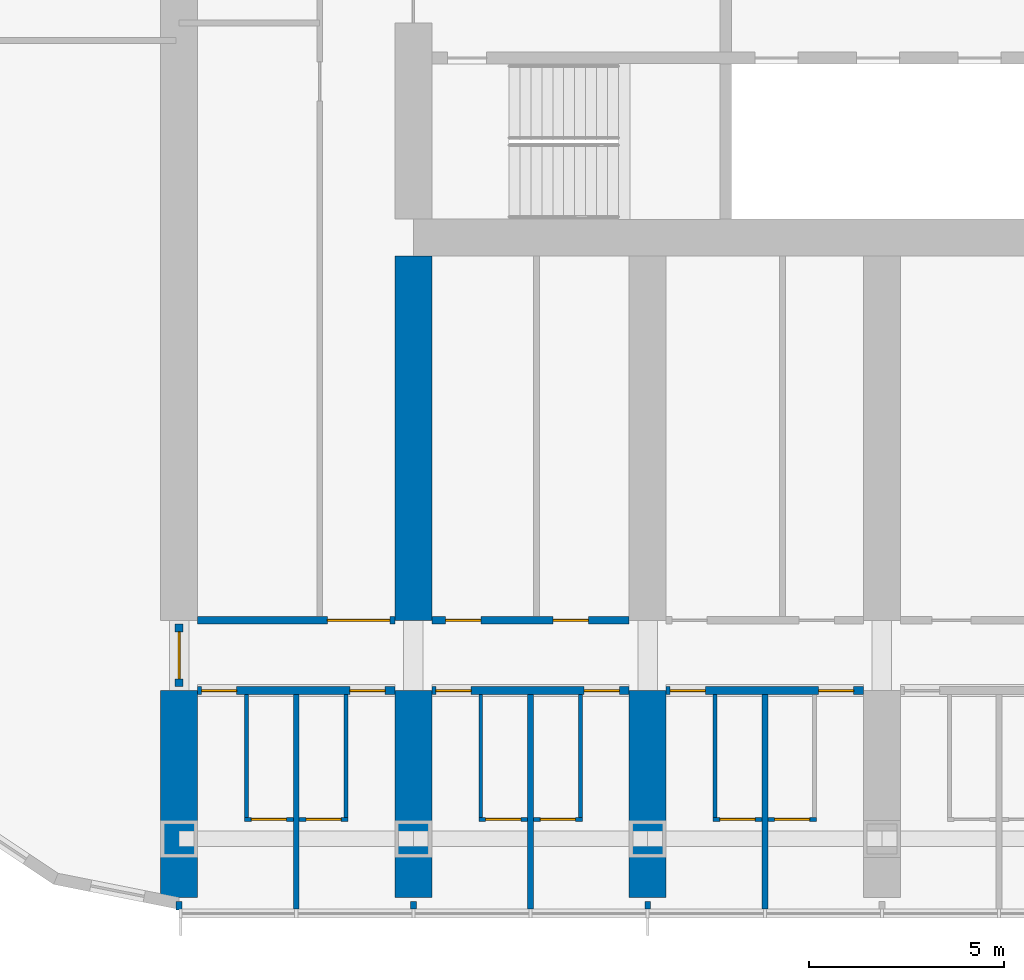
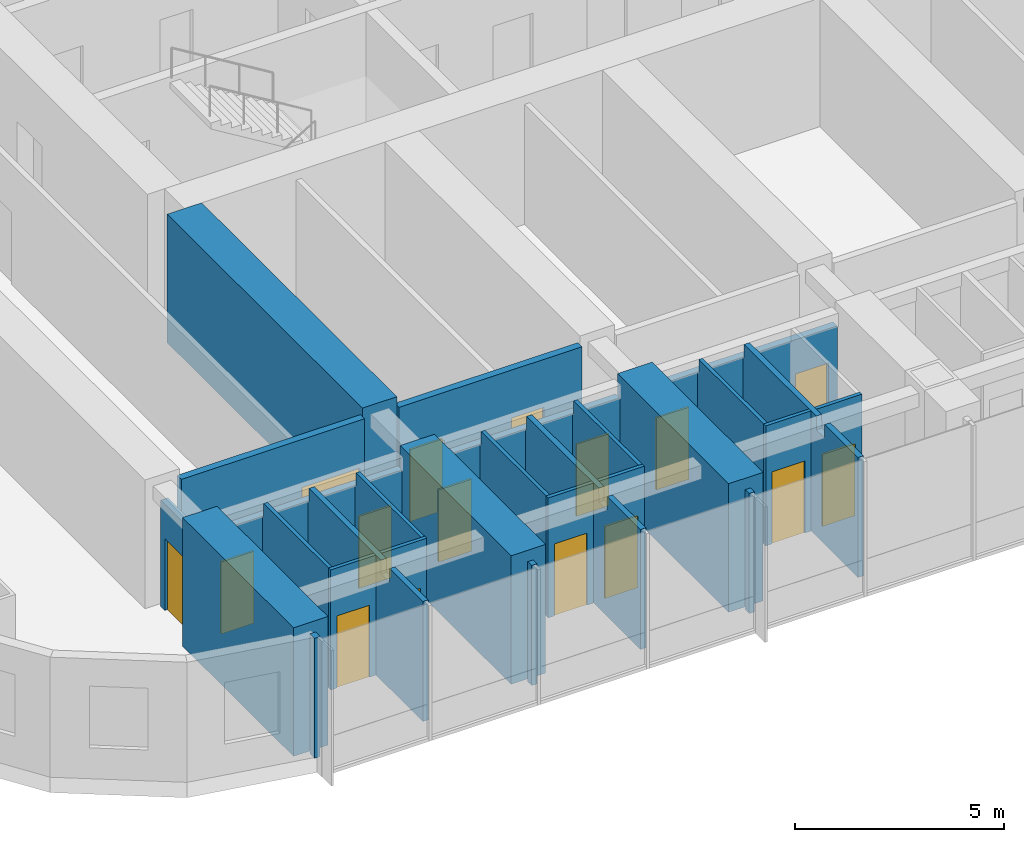
# One storey, part 10 of 26: 27 walls, 16 doors, 16 openings.
"""IFC4 building model written with IfcOpenShell, lengths in metres."""

import ifcopenshell
import ifcopenshell.guid

model = None  # the IFC model being written
_history = None  # IfcOwnerHistory: only IFC2X3 demands one
_inside = {}  # id of a spatial element -> (the spatial element, [elements in it])
_under = {}  # id of a project, library or spatial element -> (it, [spatial elements below it])
_declared = {}  # id of a project -> (the project, [libraries it declares])
_typed = {}  # id of a type object -> (the type object, [elements of that type])
_made_of = {}  # id of a material, layer set ... -> (it, [elements and type objects made of it])


def new_model(schema):
    """Start an empty IFC model of exactly this schema.

    Asked for "IFC4X3", IfcOpenShell would pick the latest addendum, in which some entities
    have other attributes; the version numbers below select the first issue.
    IFC2X3 requires an IfcOwnerHistory on every rooted entity: one is made here for all.
    """
    global model, _history
    if schema == "IFC4X3":
        model = ifcopenshell.file(schema_version=(4, 3, 0, 0))
    else:
        model = ifcopenshell.file(schema=schema)
    _inside.clear()
    _under.clear()
    _declared.clear()
    _typed.clear()
    _made_of.clear()
    _history = None
    if model.schema == "IFC2X3":
        org = make("IfcOrganization", Name="unknown")
        user = make(
            "IfcPersonAndOrganization",
            ThePerson=make("IfcPerson", FamilyName="unknown"),
            TheOrganization=org,
        )
        app = make(
            "IfcApplication",
            ApplicationDeveloper=org,
            Version="unknown",
            ApplicationFullName="unknown",
            ApplicationIdentifier="unknown",
        )
        _history = make(
            "IfcOwnerHistory",
            OwningUser=user,
            OwningApplication=app,
            ChangeAction="ADDED",
            CreationDate=0,
        )
    return model


def make(cls, **values):
    """One entity of the class cls with the attributes given. An attribute that is None is left unset."""
    return model.create_entity(
        cls, **{name: value for name, value in values.items() if value is not None}
    )


def rooted(cls, **values):
    """An entity with a GlobalId (a new one), such as an element, a storey or a relation."""
    return make(cls, GlobalId=ifcopenshell.guid.new(), OwnerHistory=_history, **values)


def si_unit(unit_type, name, prefix=None):
    """IfcSIUnit, for example si_unit("LENGTHUNIT", "METRE", prefix="MILLI")."""
    return make("IfcSIUnit", UnitType=unit_type, Prefix=prefix, Name=name)


def assignment(units):
    """IfcUnitAssignment: the units of a project."""
    return None if units is None else make("IfcUnitAssignment", Units=units)


def point(xyz):
    """IfcCartesianPoint."""
    return None if xyz is None else make("IfcCartesianPoint", Coordinates=xyz)


def direction(xyz):
    """IfcDirection."""
    return None if xyz is None else make("IfcDirection", DirectionRatios=xyz)


def frame(location, z_axis=None, x_axis=None):
    """IfcAxis2Placement3D, a coordinate frame: its origin and axes. An axis left out is left unset."""
    return make(
        "IfcAxis2Placement3D",
        Location=point(location),
        Axis=direction(z_axis),
        RefDirection=direction(x_axis),
    )


def frame_2d(location, x_axis=None):
    """IfcAxis2Placement2D, a coordinate frame in the plane: its origin and x axis."""
    return make(
        "IfcAxis2Placement2D", Location=point(location), RefDirection=direction(x_axis)
    )


def origin():
    """The frame at (0, 0, 0) with its axes left unset."""
    return frame((0.0, 0.0, 0.0))


def place(relative_to, where):
    """IfcLocalPlacement: puts the frame where relative to a parent placement (None: the world)."""
    return make(
        "IfcLocalPlacement", PlacementRelTo=relative_to, RelativePlacement=where
    )


def context(
    kind, dimensions, precision=None, world=None, true_north=None, identifier=None
):
    """IfcGeometricRepresentationContext, for example the 3D "Model" context."""
    return make(
        "IfcGeometricRepresentationContext",
        ContextIdentifier=identifier,
        ContextType=kind,
        CoordinateSpaceDimension=dimensions,
        Precision=precision,
        WorldCoordinateSystem=world,
        TrueNorth=true_north,
    )


def subcontext(parent, identifier, kind, view, scale=None):
    """IfcGeometricRepresentationSubContext, for example "Body" below "Model"."""
    return make(
        "IfcGeometricRepresentationSubContext",
        ContextIdentifier=identifier,
        ContextType=kind,
        ParentContext=parent,
        TargetScale=scale,
        TargetView=view,
    )


def project(units=None, contexts=None):
    """IfcProject with its units and contexts."""
    return rooted(
        "IfcProject",
        Name="project",
        RepresentationContexts=contexts,
        UnitsInContext=assignment(units),
    )


def spatial(cls, under=None, at=None, **own):
    """A site, building, storey or space (cls), placed at a placement, below another one or the project."""
    s = rooted(cls, ObjectPlacement=at, **own)
    if under is not None:
        _under.setdefault(under.id(), (under, []))[1].append(s)
    return s


def polyline(points):
    """IfcPolyline through the points."""
    return make("IfcPolyline", Points=[point(p) for p in points])


def profile(cls, at=None, kind="AREA", **sizes):
    """A parametric profile (cls). Its sizes go by their IFC names, for example OverallWidth=200.0."""
    return make(cls, ProfileType=kind, Position=at, **sizes)


def rectangle(**sizes):
    """IfcRectangleProfileDef."""
    return profile("IfcRectangleProfileDef", **sizes)


def outline(outer, holes=None, kind="AREA"):
    """IfcArbitraryClosedProfileDef: a profile drawn as a closed curve; with holes, ...WithVoids."""
    if holes is None:
        return make("IfcArbitraryClosedProfileDef", ProfileType=kind, OuterCurve=outer)
    return make(
        "IfcArbitraryProfileDefWithVoids",
        ProfileType=kind,
        OuterCurve=outer,
        InnerCurves=holes,
    )


def extrude(swept, where, along, depth):
    """IfcExtrudedAreaSolid: the profile swept, set in the frame where, extruded along a direction by depth."""
    return make(
        "IfcExtrudedAreaSolid",
        SweptArea=swept,
        Position=where,
        ExtrudedDirection=direction(along),
        Depth=depth,
    )


def shape(context_of_items, identifier, shape_type, items):
    """IfcShapeRepresentation: the items that make up one representation, for example the "Body"."""
    return make(
        "IfcShapeRepresentation",
        ContextOfItems=context_of_items,
        RepresentationIdentifier=identifier,
        RepresentationType=shape_type,
        Items=items,
    )


def material(Name=None, Category=None):
    """IfcMaterial."""
    return make("IfcMaterial", Name=Name, Category=Category)


def layer(
    of_material, thickness, ventilated=None, Name=None, Category=None, Priority=None
):
    """IfcMaterialLayer: one layer of a wall or slab, of a material (None: an air gap)."""
    return make(
        "IfcMaterialLayer",
        Material=of_material,
        LayerThickness=thickness,
        IsVentilated=ventilated,
        Name=Name,
        Category=Category,
        Priority=Priority,
    )


def layer_set(layers, Name=None):
    """IfcMaterialLayerSet."""
    return make("IfcMaterialLayerSet", MaterialLayers=layers, LayerSetName=Name)


def made_of(thing, what):
    """Note that an element or type object is made of a material, layer set ...; save() writes the relation."""
    if what is not None:
        _made_of.setdefault(what.id(), (what, []))[1].append(thing)
    return thing


def type_object(cls, material=None, **own):
    """A type object (cls), such as IfcWallType, which elements share."""
    return made_of(rooted(cls, **own), material)


def element(
    cls,
    number,
    at=None,
    inside=None,
    cuts=None,
    type_object=None,
    material=None,
    context=None,
    identifier="Body",
    shape_type=None,
    held_by="IfcProductDefinitionShape",
    body=None,
    shapes=None,
    **own,
):
    """One element of the class cls, such as IfcWall. Its Tag is "e" and its number.

    at: its placement. inside: the storey or other place that contains it. cuts: it is an
    opening in that element (IfcRelVoidsElement). A single representation is given by context,
    identifier, shape_type and body (its items); several are given by shapes. held_by: the class
    of the entity that holds the representations. save() writes the other relations.
    """
    e = rooted(cls, Tag="e%d" % number, ObjectPlacement=at, **own)
    if body is not None:
        shapes = [shape(context, identifier, shape_type, body)]
    if shapes is not None:
        e.Representation = make(held_by, Representations=shapes)
    if inside is not None:
        _inside.setdefault(inside.id(), (inside, []))[1].append(e)
    if cuts is not None:
        rooted(
            "IfcRelVoidsElement", RelatingBuildingElement=cuts, RelatedOpeningElement=e
        )
    if type_object is not None:
        _typed.setdefault(type_object.id(), (type_object, []))[1].append(e)
    return made_of(e, material)


def fill(opening, filler):
    """IfcRelFillsElement: the door or window that sits in an opening."""
    return rooted(
        "IfcRelFillsElement",
        RelatingOpeningElement=opening,
        RelatedBuildingElement=filler,
    )


def aggregate(whole, parts):
    """IfcRelAggregates: a whole, such as a stair, and the parts it consists of."""
    return rooted("IfcRelAggregates", RelatingObject=whole, RelatedObjects=parts)


def save(model, path):
    """Write the relations noted so far, then the file.

    IfcRelAggregates (storeys below a building ...), IfcRelContainedInSpatialStructure (elements
    in a storey), IfcRelDefinesByType, IfcRelAssociatesMaterial and IfcRelDeclares: one each for
    every whole, place, type object, material and project.
    """
    for whole, parts in _under.values():
        aggregate(whole, parts)
    for where, things in _inside.values():
        rooted(
            "IfcRelContainedInSpatialStructure",
            RelatedElements=things,
            RelatingStructure=where,
        )
    for kind, things in _typed.values():
        rooted("IfcRelDefinesByType", RelatedObjects=things, RelatingType=kind)
    for what, things in _made_of.values():
        rooted("IfcRelAssociatesMaterial", RelatedObjects=things, RelatingMaterial=what)
    for by, libraries in _declared.values():
        rooted("IfcRelDeclares", RelatingContext=by, RelatedDefinitions=libraries)
    model.write(path)


model = new_model("IFC4")

# Units and contexts
model_context = context("Model", 3, precision=1e-05, world=origin(), true_north=direction((0.0, 1.0)))
body_context = subcontext(model_context, "Body", "Model", "MODEL_VIEW")
ifc_project = project(units=[si_unit("LENGTHUNIT", "METRE"), si_unit("AREAUNIT", "SQUARE_METRE"), si_unit("VOLUMEUNIT", "CUBIC_METRE"), si_unit("PLANEANGLEUNIT", "RADIAN"), si_unit("MASSUNIT", "GRAM", prefix="KILO")], contexts=[model_context])

# Site, building, storey
site_placement = place(None, origin())
site = spatial("IfcSite", under=ifc_project, at=site_placement, CompositionType="ELEMENT")
building_placement = place(site_placement, origin())
building = spatial("IfcBuilding", under=site, at=building_placement, Name="Orbita Commons", CompositionType="ELEMENT")
storey_placement = place(building_placement, frame((0.0, 0.0, 114.39990234375)))
storey = spatial("IfcBuildingStorey", under=building, at=storey_placement, Name="L28", CompositionType="ELEMENT", Elevation=114.39990234375)

# Wall, openings, doors
ifc_material_1 = material(Name="Concrete blockwork", Category="masonry")
ifc_layer_1 = layer(ifc_material_1, 0.199951171875)
ifc_layer_set_1 = layer_set([ifc_layer_1], Name="Concrete blockwork")
wall_type_1 = type_object("IfcWallType", Name="Corridor wall 200 blockwork", PredefinedType="SOLIDWALL", material=ifc_layer_set_1)
wall_1_placement = place(storey_placement, frame((12.47509765625, 14.199951171875, 0.0), z_axis=(0.0, 0.0, 1.0), x_axis=(1.0, 0.0, 0.0)))
wall_1 = element("IfcWall", 1, at=wall_1_placement, inside=storey, type_object=wall_type_1, Name="Corridor wall 200 blockwork L28", PredefinedType="SOLIDWALL", context=body_context, shape_type="SweptSolid", body=[
    extrude(outline(polyline([(0.0, 0.0), (5.0498046875, 0.0), (5.050048828125, 3.10009765625), (0.0, 3.10009765625), (0.0, 0.0)])), frame((0.0, 0.10009765625, 0.0), z_axis=(0.0, -1.0, 0.0), x_axis=(1.0, 0.0, 0.0)), (0.0, 0.0, 1.0), 0.199951171875),
])
opening_1_placement = place(wall_1_placement, frame((0.10009765625, 0.0, 0.0)))
opening_1 = element("IfcOpeningElement", 2, at=opening_1_placement, cuts=wall_1, Name="Opening D11", PredefinedType="OPENING", context=body_context, shape_type="SweptSolid", body=[
    extrude(rectangle(XDim=0.89990234375, YDim=2.10009765625, at=frame_2d((0.449951171875, 1.050048828125))), frame((0.0, 0.10986328125, 0.0), z_axis=(0.0, -1.0, 0.0), x_axis=(1.0, 0.0, 0.0)), (0.0, 0.0, 1.0), 0.219970703125),
])
opening_2_placement = place(wall_1_placement, frame((3.89990234375, 0.0, 0.0)))
opening_2 = element("IfcOpeningElement", 3, at=opening_2_placement, cuts=wall_1, Name="Opening D11", PredefinedType="OPENING", context=body_context, shape_type="SweptSolid", body=[
    extrude(rectangle(XDim=0.89990234375, YDim=2.10009765625, at=frame_2d((0.449951171875, 1.050048828125))), frame((0.0, 0.10986328125, 0.0), z_axis=(0.0, -1.0, 0.0), x_axis=(1.0, 0.0, 0.0)), (0.0, 0.0, 1.0), 0.219970703125),
])
ifc_material_2 = material(Name="Steel-faced fire door leaf", Category="steel")
door_type_1 = type_object("IfcDoorType", Name="Corridor door 20 min 900x2100", OperationType="SINGLE_SWING_LEFT", PredefinedType="DOOR", material=ifc_material_2)
door_1_placement = place(opening_1_placement, origin())
door_1 = element("IfcDoor", 4, at=door_1_placement, inside=storey, type_object=door_type_1, Name="Cluster bedroom L28-S00 door", OperationType="SINGLE_SWING_LEFT", OverallHeight=2.10009765625, OverallWidth=0.89990234375, PredefinedType="DOOR", context=body_context, shape_type="SweptSolid", body=[
    extrude(rectangle(XDim=0.89990234375, YDim=2.10009765625, at=frame_2d((0.449951171875, 1.050048828125))), frame((0.0, 0.02490234375, 0.0), z_axis=(0.0, -1.0, 0.0), x_axis=(1.0, 0.0, 0.0)), (0.0, 0.0, 1.0), 0.050048828125),
])
fill(opening_1, door_1)
door_2_placement = place(opening_2_placement, origin())
door_2 = element("IfcDoor", 5, at=door_2_placement, inside=storey, type_object=door_type_1, Name="Cluster bedroom L28-S01 door", OperationType="SINGLE_SWING_LEFT", OverallHeight=2.10009765625, OverallWidth=0.89990234375, PredefinedType="DOOR", context=body_context, shape_type="SweptSolid", body=[
    extrude(rectangle(XDim=0.89990234375, YDim=2.10009765625, at=frame_2d((0.449951171875, 1.050048828125))), frame((0.0, 0.02490234375, 0.0), z_axis=(0.0, -1.0, 0.0), x_axis=(1.0, 0.0, 0.0)), (0.0, 0.0, 1.0), 0.050048828125),
])
fill(opening_2, door_2)

wall_2_placement = place(storey_placement, frame((18.47509765625, 14.199951171875, 0.0), z_axis=(0.0, 0.0, 1.0), x_axis=(1.0, 0.0, 0.0)))
wall_2 = element("IfcWall", 6, at=wall_2_placement, inside=storey, type_object=wall_type_1, Name="Corridor wall 200 blockwork L28", PredefinedType="SOLIDWALL", context=body_context, shape_type="SweptSolid", body=[
    extrude(outline(polyline([(0.0, 0.0), (5.0498046875, 0.0), (5.050048828125, 3.10009765625), (0.0, 3.10009765625), (0.0, 0.0)])), frame((0.0, 0.10009765625, 0.0), z_axis=(0.0, -1.0, 0.0), x_axis=(1.0, 0.0, 0.0)), (0.0, 0.0, 1.0), 0.199951171875),
])
opening_3_placement = place(wall_2_placement, frame((0.10009765625, 0.0, 0.0)))
opening_3 = element("IfcOpeningElement", 7, at=opening_3_placement, cuts=wall_2, Name="Opening D11", PredefinedType="OPENING", context=body_context, shape_type="SweptSolid", body=[
    extrude(rectangle(XDim=0.89990234375, YDim=2.10009765625, at=frame_2d((0.449951171875, 1.050048828125))), frame((0.0, 0.10986328125, 0.0), z_axis=(0.0, -1.0, 0.0), x_axis=(1.0, 0.0, 0.0)), (0.0, 0.0, 1.0), 0.219970703125),
])
opening_4_placement = place(wall_2_placement, frame((3.89990234375, 0.0, 0.0)))
opening_4 = element("IfcOpeningElement", 8, at=opening_4_placement, cuts=wall_2, Name="Opening D11", PredefinedType="OPENING", context=body_context, shape_type="SweptSolid", body=[
    extrude(rectangle(XDim=0.89990234375, YDim=2.10009765625, at=frame_2d((0.449951171875, 1.050048828125))), frame((0.0, 0.10986328125, 0.0), z_axis=(0.0, -1.0, 0.0), x_axis=(1.0, 0.0, 0.0)), (0.0, 0.0, 1.0), 0.219970703125),
])
door_3_placement = place(opening_3_placement, origin())
door_3 = element("IfcDoor", 9, at=door_3_placement, inside=storey, type_object=door_type_1, Name="Cluster bedroom L28-S02 door", OperationType="SINGLE_SWING_LEFT", OverallHeight=2.10009765625, OverallWidth=0.89990234375, PredefinedType="DOOR", context=body_context, shape_type="SweptSolid", body=[
    extrude(rectangle(XDim=0.89990234375, YDim=2.10009765625, at=frame_2d((0.449951171875, 1.050048828125))), frame((0.0, 0.02490234375, 0.0), z_axis=(0.0, -1.0, 0.0), x_axis=(1.0, 0.0, 0.0)), (0.0, 0.0, 1.0), 0.050048828125),
])
fill(opening_3, door_3)
door_4_placement = place(opening_4_placement, origin())
door_4 = element("IfcDoor", 10, at=door_4_placement, inside=storey, type_object=door_type_1, Name="Cluster bedroom L28-S03 door", OperationType="SINGLE_SWING_LEFT", OverallHeight=2.10009765625, OverallWidth=0.89990234375, PredefinedType="DOOR", context=body_context, shape_type="SweptSolid", body=[
    extrude(rectangle(XDim=0.89990234375, YDim=2.10009765625, at=frame_2d((0.449951171875, 1.050048828125))), frame((0.0, 0.02490234375, 0.0), z_axis=(0.0, -1.0, 0.0), x_axis=(1.0, 0.0, 0.0)), (0.0, 0.0, 1.0), 0.050048828125),
])
fill(opening_4, door_4)

wall_3_placement = place(storey_placement, frame((24.47509765625, 14.199951171875, 0.0), z_axis=(0.0, 0.0, 1.0), x_axis=(1.0, 0.0, 0.0)))
wall_3 = element("IfcWall", 11, at=wall_3_placement, inside=storey, type_object=wall_type_1, Name="Corridor wall 200 blockwork L28", PredefinedType="SOLIDWALL", context=body_context, shape_type="SweptSolid", body=[
    extrude(outline(polyline([(0.0, 0.0), (5.0498046875, 0.0), (5.050048828125, 3.10009765625), (0.0, 3.10009765625), (0.0, 0.0)])), frame((0.0, 0.10009765625, 0.0), z_axis=(0.0, -1.0, 0.0), x_axis=(1.0, 0.0, 0.0)), (0.0, 0.0, 1.0), 0.199951171875),
])
opening_5_placement = place(wall_3_placement, frame((0.10009765625, 0.0, 0.0)))
opening_5 = element("IfcOpeningElement", 12, at=opening_5_placement, cuts=wall_3, Name="Opening D11", PredefinedType="OPENING", context=body_context, shape_type="SweptSolid", body=[
    extrude(rectangle(XDim=0.89990234375, YDim=2.10009765625, at=frame_2d((0.449951171875, 1.050048828125))), frame((0.0, 0.10986328125, 0.0), z_axis=(0.0, -1.0, 0.0), x_axis=(1.0, 0.0, 0.0)), (0.0, 0.0, 1.0), 0.219970703125),
])
opening_6_placement = place(wall_3_placement, frame((3.89990234375, 0.0, 0.0)))
opening_6 = element("IfcOpeningElement", 13, at=opening_6_placement, cuts=wall_3, Name="Opening D11", PredefinedType="OPENING", context=body_context, shape_type="SweptSolid", body=[
    extrude(rectangle(XDim=0.89990234375, YDim=2.10009765625, at=frame_2d((0.449951171875, 1.050048828125))), frame((0.0, 0.10986328125, 0.0), z_axis=(0.0, -1.0, 0.0), x_axis=(1.0, 0.0, 0.0)), (0.0, 0.0, 1.0), 0.219970703125),
])
door_5_placement = place(opening_5_placement, origin())
door_5 = element("IfcDoor", 14, at=door_5_placement, inside=storey, type_object=door_type_1, Name="Cluster bedroom L28-S04 door", OperationType="SINGLE_SWING_LEFT", OverallHeight=2.10009765625, OverallWidth=0.89990234375, PredefinedType="DOOR", context=body_context, shape_type="SweptSolid", body=[
    extrude(rectangle(XDim=0.89990234375, YDim=2.10009765625, at=frame_2d((0.449951171875, 1.050048828125))), frame((0.0, 0.02490234375, 0.0), z_axis=(0.0, -1.0, 0.0), x_axis=(1.0, 0.0, 0.0)), (0.0, 0.0, 1.0), 0.050048828125),
])
fill(opening_5, door_5)
door_6_placement = place(opening_6_placement, origin())
door_6 = element("IfcDoor", 15, at=door_6_placement, inside=storey, type_object=door_type_1, Name="Cluster bedroom L28-S05 door", OperationType="SINGLE_SWING_LEFT", OverallHeight=2.10009765625, OverallWidth=0.89990234375, PredefinedType="DOOR", context=body_context, shape_type="SweptSolid", body=[
    extrude(rectangle(XDim=0.89990234375, YDim=2.10009765625, at=frame_2d((0.449951171875, 1.050048828125))), frame((0.0, 0.02490234375, 0.0), z_axis=(0.0, -1.0, 0.0), x_axis=(1.0, 0.0, 0.0)), (0.0, 0.0, 1.0), 0.050048828125),
])
fill(opening_6, door_6)

# Wall, opening, door
wall_4_placement = place(storey_placement, frame((12.0, 14.300048828125, 0.0), z_axis=(0.0, 0.0, 1.0), x_axis=(0.0, 1.0, 0.0)))
wall_4 = element("IfcWall", 16, at=wall_4_placement, inside=storey, type_object=wall_type_1, Name="Corridor wall 200 blockwork L28", PredefinedType="SOLIDWALL", context=body_context, shape_type="SweptSolid", body=[
    extrude(outline(polyline([(0.0, 0.0), (1.599853515625, 0.0), (1.60009765625, 3.10009765625), (0.0, 3.10009765625), (0.0, 0.0)])), frame((0.0, 0.10009765625, 0.0), z_axis=(0.0, -1.0, 0.0), x_axis=(1.0, 0.0, 0.0)), (0.0, 0.0, 1.0), 0.199951171875),
])
opening_7_placement = place(wall_4_placement, frame((0.199951171875, 0.0, 0.0)))
opening_7 = element("IfcOpeningElement", 17, at=opening_7_placement, cuts=wall_4, Name="Opening D12", PredefinedType="OPENING", context=body_context, shape_type="SweptSolid", body=[
    extrude(rectangle(XDim=1.199951171875, YDim=2.10009765625, at=frame_2d((0.60009765625, 1.050048828125))), frame((0.0, 0.10986328125, 0.0), z_axis=(0.0, -1.0, 0.0), x_axis=(1.0, 0.0, 0.0)), (0.0, 0.0, 1.0), 0.219970703125),
])
ifc_material_3 = material(Name="Steel-faced fire door leaf", Category="steel")
door_type_2 = type_object("IfcDoorType", Name="Double corridor door 20 min 1200x2100", OperationType="DOUBLE_DOOR_SINGLE_SWING", PredefinedType="DOOR", material=ifc_material_3)
door_7_placement = place(opening_7_placement, origin())
door_7 = element("IfcDoor", 18, at=door_7_placement, inside=storey, type_object=door_type_2, Name="Lounge doors", OperationType="DOUBLE_DOOR_SINGLE_SWING", OverallHeight=2.10009765625, OverallWidth=1.199951171875, PredefinedType="DOOR", context=body_context, shape_type="SweptSolid", body=[
    extrude(rectangle(XDim=1.199951171875, YDim=2.10009765625, at=frame_2d((0.60009765625, 1.050048828125))), frame((0.0, 0.02490234375, 0.0), z_axis=(0.0, -1.0, 0.0), x_axis=(1.0, 0.0, 0.0)), (0.0, 0.0, 1.0), 0.050048828125),
])
fill(opening_7, door_7)

ifc_material_4 = material(Name="Hollow concrete block 200", Category="concrete")
ifc_layer_2 = layer(ifc_material_4, 0.199951171875)
ifc_layer_set_2 = layer_set([ifc_layer_2], Name="Hollow concrete block 200")
wall_type_2 = type_object("IfcWallType", Name="Corridor wall 200 hollow concrete block", PredefinedType="SOLIDWALL", material=ifc_layer_set_2)
wall_5_placement = place(storey_placement, frame((12.47509765625, 16.0, 0.0), z_axis=(0.0, 0.0, 1.0), x_axis=(1.0, 0.0, 0.0)))
wall_5 = element("IfcWall", 19, at=wall_5_placement, inside=storey, type_object=wall_type_2, Name="Corridor wall 200 hollow concrete block L28", PredefinedType="SOLIDWALL", context=body_context, shape_type="SweptSolid", body=[
    extrude(rectangle(XDim=5.0498046875, YDim=0.199951171875, at=frame_2d((2.52490234375, 0.0))), origin(), (0.0, 0.0, 1.0), 3.5),
])
opening_8_placement = place(wall_5_placement, frame((3.324951171875, 0.0, 0.0)))
opening_8 = element("IfcOpeningElement", 20, at=opening_8_placement, cuts=wall_5, Name="Opening D10", PredefinedType="OPENING", context=body_context, shape_type="SweptSolid", body=[
    extrude(rectangle(XDim=1.60009765625, YDim=2.10009765625, at=frame_2d((0.800048828125, 1.050048828125))), frame((0.0, 0.10986328125, 0.0), z_axis=(0.0, -1.0, 0.0), x_axis=(1.0, 0.0, 0.0)), (0.0, 0.0, 1.0), 0.219970703125),
])
ifc_material_5 = material(Name="Steel-faced fire door leaf", Category="steel")
door_type_3 = type_object("IfcDoorType", Name="Double corridor door 20 min 1600x2100", OperationType="DOUBLE_DOOR_SINGLE_SWING", PredefinedType="DOOR", material=ifc_material_5)
door_8_placement = place(opening_8_placement, origin())
door_8 = element("IfcDoor", 21, at=door_8_placement, inside=storey, type_object=door_type_3, Name="Cross corridor doors", OperationType="DOUBLE_DOOR_SINGLE_SWING", OverallHeight=2.10009765625, OverallWidth=1.60009765625, PredefinedType="DOOR", context=body_context, shape_type="SweptSolid", body=[
    extrude(rectangle(XDim=1.60009765625, YDim=2.10009765625, at=frame_2d((0.800048828125, 1.050048828125))), frame((0.0, 0.02490234375, 0.0), z_axis=(0.0, -1.0, 0.0), x_axis=(1.0, 0.0, 0.0)), (0.0, 0.0, 1.0), 0.050048828125),
])
fill(opening_8, door_8)

# Wall, openings, doors
wall_6_placement = place(storey_placement, frame((18.47509765625, 16.0, 0.0), z_axis=(0.0, 0.0, 1.0), x_axis=(1.0, 0.0, 0.0)))
wall_6 = element("IfcWall", 22, at=wall_6_placement, inside=storey, type_object=wall_type_2, Name="Corridor wall 200 hollow concrete block L28", PredefinedType="SOLIDWALL", context=body_context, shape_type="SweptSolid", body=[
    extrude(rectangle(XDim=5.0498046875, YDim=0.199951171875, at=frame_2d((2.52490234375, 0.0))), origin(), (0.0, 0.0, 1.0), 3.5),
])
opening_9_placement = place(wall_6_placement, frame((0.35009765625, 0.0, 0.0)))
opening_9 = element("IfcOpeningElement", 23, at=opening_9_placement, cuts=wall_6, Name="Opening D11", PredefinedType="OPENING", context=body_context, shape_type="SweptSolid", body=[
    extrude(rectangle(XDim=0.89990234375, YDim=2.10009765625, at=frame_2d((0.449951171875, 1.050048828125))), frame((0.0, 0.10986328125, 0.0), z_axis=(0.0, -1.0, 0.0), x_axis=(1.0, 0.0, 0.0)), (0.0, 0.0, 1.0), 0.219970703125),
])
opening_10_placement = place(wall_6_placement, frame((3.10498046875, 0.0, 0.0)))
opening_10 = element("IfcOpeningElement", 24, at=opening_10_placement, cuts=wall_6, Name="Opening D11", PredefinedType="OPENING", context=body_context, shape_type="SweptSolid", body=[
    extrude(rectangle(XDim=0.89990234375, YDim=2.10009765625, at=frame_2d((0.449951171875, 1.050048828125))), frame((0.0, 0.10986328125, 0.0), z_axis=(0.0, -1.0, 0.0), x_axis=(1.0, 0.0, 0.0)), (0.0, 0.0, 1.0), 0.219970703125),
])
door_9_placement = place(opening_9_placement, origin())
door_9 = element("IfcDoor", 25, at=door_9_placement, inside=storey, type_object=door_type_1, Name="Accessible WC and shower room L28-BDS18n door", OperationType="SINGLE_SWING_LEFT", OverallHeight=2.10009765625, OverallWidth=0.89990234375, PredefinedType="DOOR", context=body_context, shape_type="SweptSolid", body=[
    extrude(rectangle(XDim=0.89990234375, YDim=2.10009765625, at=frame_2d((0.449951171875, 1.050048828125))), frame((0.0, 0.02490234375, 0.0), z_axis=(0.0, -1.0, 0.0), x_axis=(1.0, 0.0, 0.0)), (0.0, 0.0, 1.0), 0.050048828125),
])
fill(opening_9, door_9)
door_10_placement = place(opening_10_placement, origin())
door_10 = element("IfcDoor", 26, at=door_10_placement, inside=storey, type_object=door_type_1, Name="Prayer room L28-BDS18 door", OperationType="SINGLE_SWING_LEFT", OverallHeight=2.10009765625, OverallWidth=0.89990234375, PredefinedType="DOOR", context=body_context, shape_type="SweptSolid", body=[
    extrude(rectangle(XDim=0.89990234375, YDim=2.10009765625, at=frame_2d((0.449951171875, 1.050048828125))), frame((0.0, 0.02490234375, 0.0), z_axis=(0.0, -1.0, 0.0), x_axis=(1.0, 0.0, 0.0)), (0.0, 0.0, 1.0), 0.050048828125),
])
fill(opening_10, door_10)

# Walls
ifc_material_6 = material(Name="Concrete C50/60", Category="concrete")
ifc_layer_3 = layer(ifc_material_6, 0.949951171875)
ifc_layer_set_3 = layer_set([ifc_layer_3], Name="Concrete C50/60")
wall_type_3 = type_object("IfcWallType", Name="Cross wall 950 C50/60", PredefinedType="SHEAR", material=ifc_layer_set_3)
for number, where, z_axis, x_axis, name in (
    (27, (12.0, 8.89990234375, 0.0), (0.0, 0.0, 1.0), (0.0, 1.0, 0.0), "Cross wall 3 south outer L28"),
    (28, (18.0, 8.89990234375, 0.0), (0.0, 0.0, 1.0), (0.0, 1.0, 0.0), "Cross wall 4 south outer L28"),
):
    element("IfcWall", number, at=place(storey_placement, frame(where, z_axis=z_axis, x_axis=x_axis)), inside=storey, type_object=wall_type_3, Name=name, PredefinedType="SHEAR", context=body_context, shape_type="SweptSolid", body=[
        extrude(rectangle(XDim=5.300048828125, YDim=0.949951171875, at=frame_2d((2.64990234375, 0.0))), origin(), (0.0, 0.0, 1.0), 3.75),
    ])
wall_7_placement = place(storey_placement, frame((18.0, 16.0, 0.0), z_axis=(0.0, 0.0, 1.0), x_axis=(0.0, 1.0, 0.0)))
element("IfcWall", 29, at=wall_7_placement, inside=storey, type_object=wall_type_3, Name="Cross wall 4 south inner L28", PredefinedType="SHEAR", context=body_context, shape_type="SweptSolid", body=[
    extrude(rectangle(XDim=9.324951171875, YDim=0.949951171875, at=frame_2d((4.66259765625, 0.0))), origin(), (0.0, 0.0, 1.0), 3.75),
])
wall_8_placement = place(storey_placement, frame((24.0, 8.89990234375, 0.0), z_axis=(0.0, 0.0, 1.0), x_axis=(0.0, 1.0, 0.0)))
element("IfcWall", 30, at=wall_8_placement, inside=storey, type_object=wall_type_3, Name="Cross wall 5 south outer L28", PredefinedType="SHEAR", context=body_context, shape_type="SweptSolid", body=[
    extrude(rectangle(XDim=5.300048828125, YDim=0.949951171875, at=frame_2d((2.64990234375, 0.0))), origin(), (0.0, 0.0, 1.0), 3.75),
])

# Wall, opening, door
ifc_material_7 = material(Name="Moisture-resistant plasterboard on steel studs", Category="steel")
ifc_layer_4 = layer(ifc_material_7, 0.10009765625)
ifc_layer_set_4 = layer_set([ifc_layer_4], Name="Moisture-resistant plasterboard on steel studs")
wall_type_4 = type_object("IfcWallType", Name="En-suite partition 100", PredefinedType="PARTITIONING", material=ifc_layer_set_4)
wall_9_placement = place(storey_placement, frame((14.925048828125, 10.89990234375, 0.0), z_axis=(0.0, 0.0, 1.0), x_axis=(-1.0, 0.0, 0.0)))
wall_9 = element("IfcWall", 31, at=wall_9_placement, inside=storey, type_object=wall_type_4, Name="En-suite partition 100 L28", PredefinedType="PARTITIONING", context=body_context, shape_type="SweptSolid", body=[
    extrude(rectangle(XDim=1.25, YDim=0.10009765625, at=frame_2d((0.625, 0.0))), origin(), (0.0, 0.0, 1.0), 3.5),
])
opening_11_placement = place(wall_9_placement, frame((0.175048828125, 0.0, 0.0)))
opening_11 = element("IfcOpeningElement", 32, at=opening_11_placement, cuts=wall_9, Name="Opening D09", PredefinedType="OPENING", context=body_context, shape_type="SweptSolid", body=[
    extrude(rectangle(XDim=0.89990234375, YDim=2.10009765625, at=frame_2d((0.449951171875, 1.050048828125))), frame((0.0, 0.06005859375, 0.0), z_axis=(0.0, -1.0, 0.0), x_axis=(1.0, 0.0, 0.0)), (0.0, 0.0, 1.0), 0.1201171875),
])
ifc_material_8 = material(Name="Laminated timber door leaf", Category="wood")
door_type_4 = type_object("IfcDoorType", Name="En-suite door 900x2100", OperationType="SINGLE_SWING_RIGHT", PredefinedType="DOOR", material=ifc_material_8)
door_11_placement = place(opening_11_placement, origin())
door_11 = element("IfcDoor", 33, at=door_11_placement, inside=storey, type_object=door_type_4, Name="En-suite L28-S00 door", OperationType="SINGLE_SWING_RIGHT", OverallHeight=2.10009765625, OverallWidth=0.89990234375, PredefinedType="DOOR", context=body_context, shape_type="SweptSolid", body=[
    extrude(rectangle(XDim=0.89990234375, YDim=2.10009765625, at=frame_2d((0.449951171875, 1.050048828125))), frame((0.0, 0.02490234375, 0.0), z_axis=(0.0, -1.0, 0.0), x_axis=(1.0, 0.0, 0.0)), (0.0, 0.0, 1.0), 0.050048828125),
])
fill(opening_11, door_11)

# Wall
wall_10_placement = place(storey_placement, frame((13.72509765625, 10.949951171875, 0.0), z_axis=(0.0, 0.0, 1.0), x_axis=(0.0, 1.0, 0.0)))
element("IfcWall", 34, at=wall_10_placement, inside=storey, type_object=wall_type_4, Name="En-suite partition 100 L28", PredefinedType="PARTITIONING", context=body_context, shape_type="SweptSolid", body=[
    extrude(outline(polyline([(0.0, 0.0), (3.150146484375, 0.0), (3.14990234375, 3.10009765625), (3.10205078125, 3.10009765625), (3.10009765625, 3.5), (0.0, 3.5), (0.0, 0.0)])), frame((0.0, 0.050048828125, 0.0), z_axis=(0.0, -1.0, 0.0), x_axis=(1.0, 0.0, 0.0)), (0.0, 0.0, 1.0), 0.10009765625),
])

# Wall, opening, door
wall_11_placement = place(storey_placement, frame((16.324951171875, 10.89990234375, 0.0), z_axis=(0.0, 0.0, 1.0), x_axis=(-1.0, 0.0, 0.0)))
wall_11 = element("IfcWall", 35, at=wall_11_placement, inside=storey, type_object=wall_type_4, Name="En-suite partition 100 L28", PredefinedType="PARTITIONING", context=body_context, shape_type="SweptSolid", body=[
    extrude(rectangle(XDim=1.25, YDim=0.10009765625, at=frame_2d((0.625, 0.0))), origin(), (0.0, 0.0, 1.0), 3.5),
])
opening_12_placement = place(wall_11_placement, frame((0.175048828125, 0.0, 0.0)))
opening_12 = element("IfcOpeningElement", 36, at=opening_12_placement, cuts=wall_11, Name="Opening D09", PredefinedType="OPENING", context=body_context, shape_type="SweptSolid", body=[
    extrude(rectangle(XDim=0.89990234375, YDim=2.10009765625, at=frame_2d((0.449951171875, 1.050048828125))), frame((0.0, 0.06005859375, 0.0), z_axis=(0.0, -1.0, 0.0), x_axis=(1.0, 0.0, 0.0)), (0.0, 0.0, 1.0), 0.1201171875),
])
door_12_placement = place(opening_12_placement, origin())
door_12 = element("IfcDoor", 37, at=door_12_placement, inside=storey, type_object=door_type_4, Name="En-suite L28-S01 door", OperationType="SINGLE_SWING_RIGHT", OverallHeight=2.10009765625, OverallWidth=0.89990234375, PredefinedType="DOOR", context=body_context, shape_type="SweptSolid", body=[
    extrude(rectangle(XDim=0.89990234375, YDim=2.10009765625, at=frame_2d((0.449951171875, 1.050048828125))), frame((0.0, 0.02490234375, 0.0), z_axis=(0.0, -1.0, 0.0), x_axis=(1.0, 0.0, 0.0)), (0.0, 0.0, 1.0), 0.050048828125),
])
fill(opening_12, door_12)

# Wall
wall_12_placement = place(storey_placement, frame((16.27490234375, 10.949951171875, 0.0), z_axis=(0.0, 0.0, 1.0), x_axis=(0.0, 1.0, 0.0)))
element("IfcWall", 38, at=wall_12_placement, inside=storey, type_object=wall_type_4, Name="En-suite partition 100 L28", PredefinedType="PARTITIONING", context=body_context, shape_type="SweptSolid", body=[
    extrude(outline(polyline([(0.0, 0.0), (3.150146484375, 0.0), (3.14990234375, 3.10009765625), (3.10205078125, 3.10009765625), (3.10009765625, 3.5), (0.0, 3.5), (0.0, 0.0)])), frame((0.0, 0.050048828125, 0.0), z_axis=(0.0, -1.0, 0.0), x_axis=(1.0, 0.0, 0.0)), (0.0, 0.0, 1.0), 0.10009765625),
])

# Wall, opening, door
wall_13_placement = place(storey_placement, frame((20.925048828125, 10.89990234375, 0.0), z_axis=(0.0, 0.0, 1.0), x_axis=(-1.0, 0.0, 0.0)))
wall_13 = element("IfcWall", 39, at=wall_13_placement, inside=storey, type_object=wall_type_4, Name="En-suite partition 100 L28", PredefinedType="PARTITIONING", context=body_context, shape_type="SweptSolid", body=[
    extrude(rectangle(XDim=1.25, YDim=0.10009765625, at=frame_2d((0.625, 0.0))), origin(), (0.0, 0.0, 1.0), 3.5),
])
opening_13_placement = place(wall_13_placement, frame((0.175048828125, 0.0, 0.0)))
opening_13 = element("IfcOpeningElement", 40, at=opening_13_placement, cuts=wall_13, Name="Opening D09", PredefinedType="OPENING", context=body_context, shape_type="SweptSolid", body=[
    extrude(rectangle(XDim=0.89990234375, YDim=2.10009765625, at=frame_2d((0.449951171875, 1.050048828125))), frame((0.0, 0.06005859375, 0.0), z_axis=(0.0, -1.0, 0.0), x_axis=(1.0, 0.0, 0.0)), (0.0, 0.0, 1.0), 0.1201171875),
])
door_13_placement = place(opening_13_placement, origin())
door_13 = element("IfcDoor", 41, at=door_13_placement, inside=storey, type_object=door_type_4, Name="En-suite L28-S02 door", OperationType="SINGLE_SWING_RIGHT", OverallHeight=2.10009765625, OverallWidth=0.89990234375, PredefinedType="DOOR", context=body_context, shape_type="SweptSolid", body=[
    extrude(rectangle(XDim=0.89990234375, YDim=2.10009765625, at=frame_2d((0.449951171875, 1.050048828125))), frame((0.0, 0.02490234375, 0.0), z_axis=(0.0, -1.0, 0.0), x_axis=(1.0, 0.0, 0.0)), (0.0, 0.0, 1.0), 0.050048828125),
])
fill(opening_13, door_13)

# Wall
wall_14_placement = place(storey_placement, frame((19.72509765625, 10.949951171875, 0.0), z_axis=(0.0, 0.0, 1.0), x_axis=(0.0, 1.0, 0.0)))
element("IfcWall", 42, at=wall_14_placement, inside=storey, type_object=wall_type_4, Name="En-suite partition 100 L28", PredefinedType="PARTITIONING", context=body_context, shape_type="SweptSolid", body=[
    extrude(outline(polyline([(0.0, 0.0), (3.150146484375, 0.0), (3.14990234375, 3.10009765625), (3.10205078125, 3.10009765625), (3.10009765625, 3.5), (0.0, 3.5), (0.0, 0.0)])), frame((0.0, 0.050048828125, 0.0), z_axis=(0.0, -1.0, 0.0), x_axis=(1.0, 0.0, 0.0)), (0.0, 0.0, 1.0), 0.10009765625),
])

# Wall, opening, door
wall_15_placement = place(storey_placement, frame((22.324951171875, 10.89990234375, 0.0), z_axis=(0.0, 0.0, 1.0), x_axis=(-1.0, 0.0, 0.0)))
wall_15 = element("IfcWall", 43, at=wall_15_placement, inside=storey, type_object=wall_type_4, Name="En-suite partition 100 L28", PredefinedType="PARTITIONING", context=body_context, shape_type="SweptSolid", body=[
    extrude(rectangle(XDim=1.25, YDim=0.10009765625, at=frame_2d((0.625, 0.0))), origin(), (0.0, 0.0, 1.0), 3.5),
])
opening_14_placement = place(wall_15_placement, frame((0.175048828125, 0.0, 0.0)))
opening_14 = element("IfcOpeningElement", 44, at=opening_14_placement, cuts=wall_15, Name="Opening D09", PredefinedType="OPENING", context=body_context, shape_type="SweptSolid", body=[
    extrude(rectangle(XDim=0.89990234375, YDim=2.10009765625, at=frame_2d((0.449951171875, 1.050048828125))), frame((0.0, 0.06005859375, 0.0), z_axis=(0.0, -1.0, 0.0), x_axis=(1.0, 0.0, 0.0)), (0.0, 0.0, 1.0), 0.1201171875),
])
door_14_placement = place(opening_14_placement, origin())
door_14 = element("IfcDoor", 45, at=door_14_placement, inside=storey, type_object=door_type_4, Name="En-suite L28-S03 door", OperationType="SINGLE_SWING_RIGHT", OverallHeight=2.10009765625, OverallWidth=0.89990234375, PredefinedType="DOOR", context=body_context, shape_type="SweptSolid", body=[
    extrude(rectangle(XDim=0.89990234375, YDim=2.10009765625, at=frame_2d((0.449951171875, 1.050048828125))), frame((0.0, 0.02490234375, 0.0), z_axis=(0.0, -1.0, 0.0), x_axis=(1.0, 0.0, 0.0)), (0.0, 0.0, 1.0), 0.050048828125),
])
fill(opening_14, door_14)

# Wall
wall_16_placement = place(storey_placement, frame((22.27490234375, 10.949951171875, 0.0), z_axis=(0.0, 0.0, 1.0), x_axis=(0.0, 1.0, 0.0)))
element("IfcWall", 46, at=wall_16_placement, inside=storey, type_object=wall_type_4, Name="En-suite partition 100 L28", PredefinedType="PARTITIONING", context=body_context, shape_type="SweptSolid", body=[
    extrude(outline(polyline([(0.0, 0.0), (3.150146484375, 0.0), (3.14990234375, 3.10009765625), (3.10205078125, 3.10009765625), (3.10009765625, 3.5), (0.0, 3.5), (0.0, 0.0)])), frame((0.0, 0.050048828125, 0.0), z_axis=(0.0, -1.0, 0.0), x_axis=(1.0, 0.0, 0.0)), (0.0, 0.0, 1.0), 0.10009765625),
])

# Wall, opening, door
wall_17_placement = place(storey_placement, frame((26.925048828125, 10.89990234375, 0.0), z_axis=(0.0, 0.0, 1.0), x_axis=(-1.0, 0.0, 0.0)))
wall_17 = element("IfcWall", 47, at=wall_17_placement, inside=storey, type_object=wall_type_4, Name="En-suite partition 100 L28", PredefinedType="PARTITIONING", context=body_context, shape_type="SweptSolid", body=[
    extrude(rectangle(XDim=1.25, YDim=0.10009765625, at=frame_2d((0.625, 0.0))), origin(), (0.0, 0.0, 1.0), 3.5),
])
opening_15_placement = place(wall_17_placement, frame((0.175048828125, 0.0, 0.0)))
opening_15 = element("IfcOpeningElement", 48, at=opening_15_placement, cuts=wall_17, Name="Opening D09", PredefinedType="OPENING", context=body_context, shape_type="SweptSolid", body=[
    extrude(rectangle(XDim=0.89990234375, YDim=2.10009765625, at=frame_2d((0.449951171875, 1.050048828125))), frame((0.0, 0.06005859375, 0.0), z_axis=(0.0, -1.0, 0.0), x_axis=(1.0, 0.0, 0.0)), (0.0, 0.0, 1.0), 0.1201171875),
])
door_15_placement = place(opening_15_placement, origin())
door_15 = element("IfcDoor", 49, at=door_15_placement, inside=storey, type_object=door_type_4, Name="En-suite L28-S04 door", OperationType="SINGLE_SWING_RIGHT", OverallHeight=2.10009765625, OverallWidth=0.89990234375, PredefinedType="DOOR", context=body_context, shape_type="SweptSolid", body=[
    extrude(rectangle(XDim=0.89990234375, YDim=2.10009765625, at=frame_2d((0.449951171875, 1.050048828125))), frame((0.0, 0.02490234375, 0.0), z_axis=(0.0, -1.0, 0.0), x_axis=(1.0, 0.0, 0.0)), (0.0, 0.0, 1.0), 0.050048828125),
])
fill(opening_15, door_15)

# Wall
wall_18_placement = place(storey_placement, frame((25.72509765625, 10.949951171875, 0.0), z_axis=(0.0, 0.0, 1.0), x_axis=(0.0, 1.0, 0.0)))
element("IfcWall", 50, at=wall_18_placement, inside=storey, type_object=wall_type_4, Name="En-suite partition 100 L28", PredefinedType="PARTITIONING", context=body_context, shape_type="SweptSolid", body=[
    extrude(outline(polyline([(0.0, 0.0), (3.150146484375, 0.0), (3.14990234375, 3.10009765625), (3.10205078125, 3.10009765625), (3.10009765625, 3.5), (0.0, 3.5), (0.0, 0.0)])), frame((0.0, 0.050048828125, 0.0), z_axis=(0.0, -1.0, 0.0), x_axis=(1.0, 0.0, 0.0)), (0.0, 0.0, 1.0), 0.10009765625),
])

# Wall, opening, door
wall_19_placement = place(storey_placement, frame((28.324951171875, 10.89990234375, 0.0), z_axis=(0.0, 0.0, 1.0), x_axis=(-1.0, 0.0, 0.0)))
wall_19 = element("IfcWall", 51, at=wall_19_placement, inside=storey, type_object=wall_type_4, Name="En-suite partition 100 L28", PredefinedType="PARTITIONING", context=body_context, shape_type="SweptSolid", body=[
    extrude(rectangle(XDim=1.25, YDim=0.10009765625, at=frame_2d((0.625, 0.0))), origin(), (0.0, 0.0, 1.0), 3.5),
])
opening_16_placement = place(wall_19_placement, frame((0.175048828125, 0.0, 0.0)))
opening_16 = element("IfcOpeningElement", 52, at=opening_16_placement, cuts=wall_19, Name="Opening D09", PredefinedType="OPENING", context=body_context, shape_type="SweptSolid", body=[
    extrude(rectangle(XDim=0.89990234375, YDim=2.10009765625, at=frame_2d((0.449951171875, 1.050048828125))), frame((0.0, 0.06005859375, 0.0), z_axis=(0.0, -1.0, 0.0), x_axis=(1.0, 0.0, 0.0)), (0.0, 0.0, 1.0), 0.1201171875),
])
door_16_placement = place(opening_16_placement, origin())
door_16 = element("IfcDoor", 53, at=door_16_placement, inside=storey, type_object=door_type_4, Name="En-suite L28-S05 door", OperationType="SINGLE_SWING_RIGHT", OverallHeight=2.10009765625, OverallWidth=0.89990234375, PredefinedType="DOOR", context=body_context, shape_type="SweptSolid", body=[
    extrude(rectangle(XDim=0.89990234375, YDim=2.10009765625, at=frame_2d((0.449951171875, 1.050048828125))), frame((0.0, 0.02490234375, 0.0), z_axis=(0.0, -1.0, 0.0), x_axis=(1.0, 0.0, 0.0)), (0.0, 0.0, 1.0), 0.050048828125),
])
fill(opening_16, door_16)

# Walls
ifc_material_9 = material(Name="Gypsum plasterboard on steel studs", Category="steel")
ifc_layer_5 = layer(ifc_material_9, 0.14990234375)
ifc_layer_set_5 = layer_set([ifc_layer_5], Name="Gypsum plasterboard on steel studs")
wall_type_5 = type_object("IfcWallType", Name="Partition 150 plasterboard", PredefinedType="PARTITIONING", material=ifc_layer_set_5)
wall_20_placement = place(storey_placement, frame((12.0, 8.800048828125, 0.0), z_axis=(0.0, 0.0, 1.0), x_axis=(0.0, -1.0, 0.0)))
element("IfcWall", 54, at=wall_20_placement, inside=storey, type_object=wall_type_5, Name="Partition 150 plasterboard L28", PredefinedType="PARTITIONING", context=body_context, shape_type="SweptSolid", body=[
    extrude(rectangle(XDim=0.219970703125, YDim=0.14990234375, at=frame_2d((0.10986328125, 0.0))), origin(), (0.0, 0.0, 1.0), 3.5),
])
for number, where, z_axis, x_axis, name in (
    (55, (18.0, 8.800048828125, 0.0), (0.0, 0.0, 1.0), (0.0, -1.0, 0.0), "Partition 150 plasterboard L28"),
    (56, (24.0, 8.800048828125, 0.0), (0.0, 0.0, 1.0), (0.0, -1.0, 0.0), "Partition 150 plasterboard L28"),
):
    element("IfcWall", number, at=place(storey_placement, frame(where, z_axis=z_axis, x_axis=x_axis)), inside=storey, type_object=wall_type_5, Name=name, PredefinedType="PARTITIONING", context=body_context, shape_type="SweptSolid", body=[
        extrude(rectangle(XDim=0.18994140625, YDim=0.14990234375, at=frame_2d((0.094970703125, 0.0))), origin(), (0.0, 0.0, 1.0), 3.5),
    ])
ifc_material_10 = material(Name="Gypsum plasterboard on steel studs", Category="steel")
ifc_layer_6 = layer(ifc_material_10, 0.14990234375)
ifc_layer_set_6 = layer_set([ifc_layer_6], Name="Gypsum plasterboard on steel studs")
wall_type_6 = type_object("IfcWallType", Name="Party wall 150 plasterboard", PredefinedType="PARTITIONING", material=ifc_layer_set_6)
for number, where, z_axis, x_axis, name in (
    (57, (15.0, 8.610107421875, 0.0), (0.0, 0.0, 1.0), (0.0, 1.0, 0.0), "Party wall 150 plasterboard L28"),
    (58, (21.0, 8.610107421875, 0.0), (0.0, 0.0, 1.0), (0.0, 1.0, 0.0), "Party wall 150 plasterboard L28"),
    (59, (27.0, 8.610107421875, 0.0), (0.0, 0.0, 1.0), (0.0, 1.0, 0.0), "Party wall 150 plasterboard L28"),
):
    element("IfcWall", number, at=place(storey_placement, frame(where, z_axis=z_axis, x_axis=x_axis)), inside=storey, type_object=wall_type_6, Name=name, PredefinedType="PARTITIONING", context=body_context, shape_type="SweptSolid", body=[
        extrude(outline(polyline([(0.0, 0.0), (5.489990234375, 0.0), (5.489990234375, 3.10009765625), (5.44189453125, 3.10009765625), (5.43994140625, 3.5), (1.991943359375, 3.5), (1.989990234375, 3.10009765625), (1.592041015625, 3.10009765625), (1.590087890625, 3.5), (0.0, 3.5), (0.0, 0.0)])), frame((0.0, 0.074951171875, 0.0), z_axis=(0.0, -1.0, 0.0), x_axis=(1.0, 0.0, 0.0)), (0.0, 0.0, 1.0), 0.14990234375),
    ])

save(model, "model.ifc")
